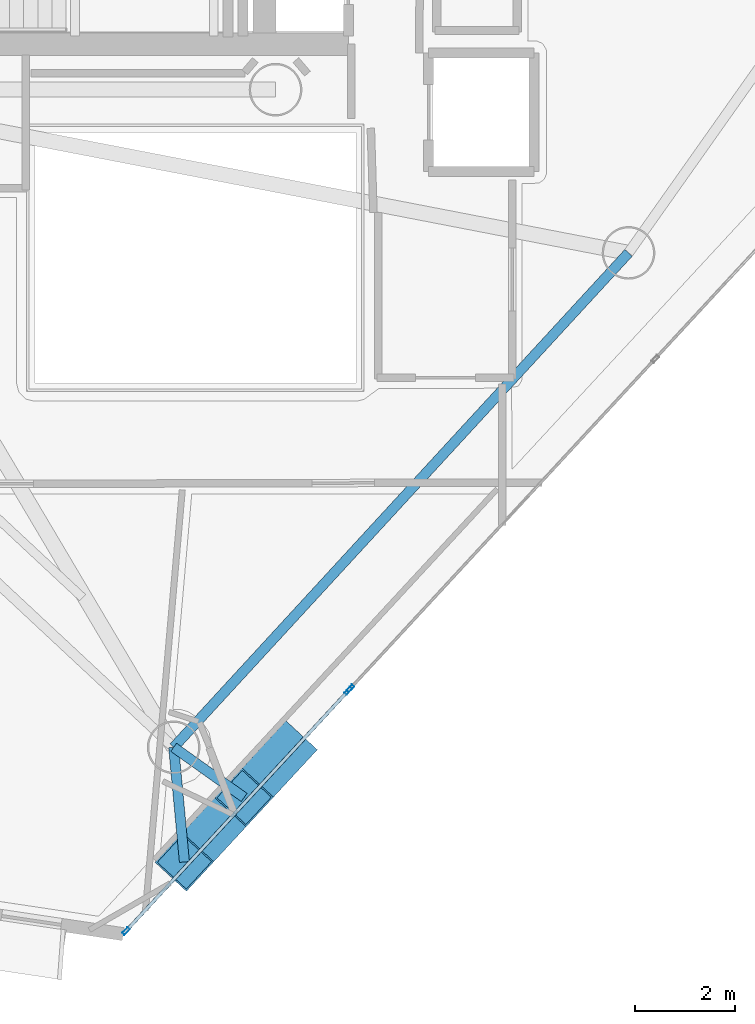
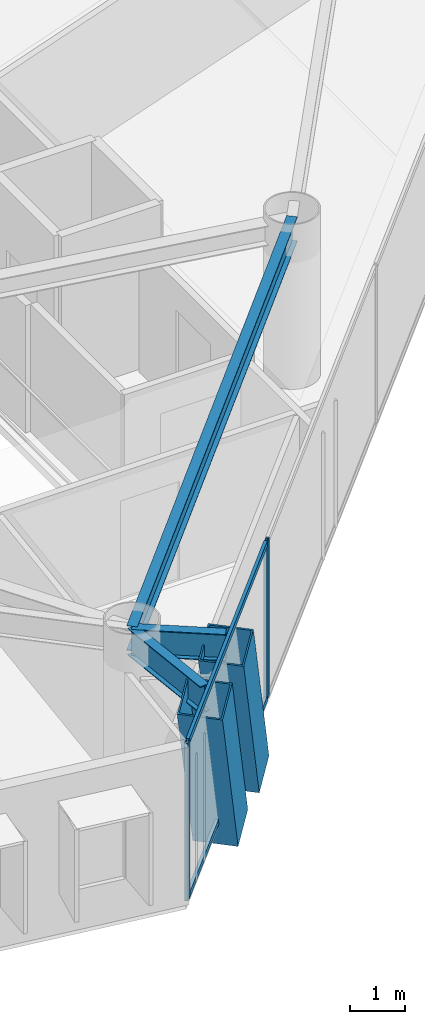
# One storey, part 4 of 21: 7 members, 3 beams, 2 elements without a shape of their own.
"""IFC4 building model written with IfcOpenShell, lengths in metres."""

import ifcopenshell
import ifcopenshell.guid

model = None  # the IFC model being written
_history = None  # IfcOwnerHistory: only IFC2X3 demands one
_inside = {}  # id of a spatial element -> (the spatial element, [elements in it])
_under = {}  # id of a project, library or spatial element -> (it, [spatial elements below it])
_declared = {}  # id of a project -> (the project, [libraries it declares])
_typed = {}  # id of a type object -> (the type object, [elements of that type])
_made_of = {}  # id of a material, layer set ... -> (it, [elements and type objects made of it])


def new_model(schema):
    """Start an empty IFC model of exactly this schema.

    Asked for "IFC4X3", IfcOpenShell would pick the latest addendum, in which some entities
    have other attributes; the version numbers below select the first issue.
    IFC2X3 requires an IfcOwnerHistory on every rooted entity: one is made here for all.
    """
    global model, _history
    if schema == "IFC4X3":
        model = ifcopenshell.file(schema_version=(4, 3, 0, 0))
    else:
        model = ifcopenshell.file(schema=schema)
    _inside.clear()
    _under.clear()
    _declared.clear()
    _typed.clear()
    _made_of.clear()
    _history = None
    if model.schema == "IFC2X3":
        org = make("IfcOrganization", Name="unknown")
        user = make(
            "IfcPersonAndOrganization",
            ThePerson=make("IfcPerson", FamilyName="unknown"),
            TheOrganization=org,
        )
        app = make(
            "IfcApplication",
            ApplicationDeveloper=org,
            Version="unknown",
            ApplicationFullName="unknown",
            ApplicationIdentifier="unknown",
        )
        _history = make(
            "IfcOwnerHistory",
            OwningUser=user,
            OwningApplication=app,
            ChangeAction="ADDED",
            CreationDate=0,
        )
    return model


def make(cls, **values):
    """One entity of the class cls with the attributes given. An attribute that is None is left unset."""
    return model.create_entity(
        cls, **{name: value for name, value in values.items() if value is not None}
    )


def rooted(cls, **values):
    """An entity with a GlobalId (a new one), such as an element, a storey or a relation."""
    return make(cls, GlobalId=ifcopenshell.guid.new(), OwnerHistory=_history, **values)


def si_unit(unit_type, name, prefix=None):
    """IfcSIUnit, for example si_unit("LENGTHUNIT", "METRE", prefix="MILLI")."""
    return make("IfcSIUnit", UnitType=unit_type, Prefix=prefix, Name=name)


def assignment(units):
    """IfcUnitAssignment: the units of a project."""
    return None if units is None else make("IfcUnitAssignment", Units=units)


def point(xyz):
    """IfcCartesianPoint."""
    return None if xyz is None else make("IfcCartesianPoint", Coordinates=xyz)


def direction(xyz):
    """IfcDirection."""
    return None if xyz is None else make("IfcDirection", DirectionRatios=xyz)


def frame(location, z_axis=None, x_axis=None):
    """IfcAxis2Placement3D, a coordinate frame: its origin and axes. An axis left out is left unset."""
    return make(
        "IfcAxis2Placement3D",
        Location=point(location),
        Axis=direction(z_axis),
        RefDirection=direction(x_axis),
    )


def frame_2d(location, x_axis=None):
    """IfcAxis2Placement2D, a coordinate frame in the plane: its origin and x axis."""
    return make(
        "IfcAxis2Placement2D", Location=point(location), RefDirection=direction(x_axis)
    )


def origin():
    """The frame at (0, 0, 0) with its axes left unset."""
    return frame((0.0, 0.0, 0.0))


def origin_2d():
    """The frame at (0, 0) in the plane with its x axis left unset."""
    return frame_2d((0.0, 0.0))


def place(relative_to, where):
    """IfcLocalPlacement: puts the frame where relative to a parent placement (None: the world)."""
    return make(
        "IfcLocalPlacement", PlacementRelTo=relative_to, RelativePlacement=where
    )


def context(
    kind, dimensions, precision=None, world=None, true_north=None, identifier=None
):
    """IfcGeometricRepresentationContext, for example the 3D "Model" context."""
    return make(
        "IfcGeometricRepresentationContext",
        ContextIdentifier=identifier,
        ContextType=kind,
        CoordinateSpaceDimension=dimensions,
        Precision=precision,
        WorldCoordinateSystem=world,
        TrueNorth=true_north,
    )


def subcontext(parent, identifier, kind, view, scale=None):
    """IfcGeometricRepresentationSubContext, for example "Body" below "Model"."""
    return make(
        "IfcGeometricRepresentationSubContext",
        ContextIdentifier=identifier,
        ContextType=kind,
        ParentContext=parent,
        TargetScale=scale,
        TargetView=view,
    )


def project(units=None, contexts=None):
    """IfcProject with its units and contexts."""
    return rooted(
        "IfcProject",
        Name="project",
        RepresentationContexts=contexts,
        UnitsInContext=assignment(units),
    )


def spatial(cls, under=None, at=None, **own):
    """A site, building, storey or space (cls), placed at a placement, below another one or the project."""
    s = rooted(cls, ObjectPlacement=at, **own)
    if under is not None:
        _under.setdefault(under.id(), (under, []))[1].append(s)
    return s


def profile(cls, at=None, kind="AREA", **sizes):
    """A parametric profile (cls). Its sizes go by their IFC names, for example OverallWidth=200.0."""
    return make(cls, ProfileType=kind, Position=at, **sizes)


def hollow_rectangle(**sizes):
    """IfcRectangleHollowProfileDef."""
    return profile("IfcRectangleHollowProfileDef", **sizes)


def i_section(**sizes):
    """IfcIShapeProfileDef."""
    return profile("IfcIShapeProfileDef", **sizes)


def extrude(swept, where, along, depth):
    """IfcExtrudedAreaSolid: the profile swept, set in the frame where, extruded along a direction by depth."""
    return make(
        "IfcExtrudedAreaSolid",
        SweptArea=swept,
        Position=where,
        ExtrudedDirection=direction(along),
        Depth=depth,
    )


def shape(context_of_items, identifier, shape_type, items):
    """IfcShapeRepresentation: the items that make up one representation, for example the "Body"."""
    return make(
        "IfcShapeRepresentation",
        ContextOfItems=context_of_items,
        RepresentationIdentifier=identifier,
        RepresentationType=shape_type,
        Items=items,
    )


def material(Name=None, Category=None):
    """IfcMaterial."""
    return make("IfcMaterial", Name=Name, Category=Category)


def layer(
    of_material, thickness, ventilated=None, Name=None, Category=None, Priority=None
):
    """IfcMaterialLayer: one layer of a wall or slab, of a material (None: an air gap)."""
    return make(
        "IfcMaterialLayer",
        Material=of_material,
        LayerThickness=thickness,
        IsVentilated=ventilated,
        Name=Name,
        Category=Category,
        Priority=Priority,
    )


def layer_set(layers, Name=None):
    """IfcMaterialLayerSet."""
    return make("IfcMaterialLayerSet", MaterialLayers=layers, LayerSetName=Name)


def material_profile(
    of_material, cross_section, Name=None, Category=None, Priority=None
):
    """IfcMaterialProfile: a cross section and its material."""
    return make(
        "IfcMaterialProfile",
        Name=Name,
        Material=of_material,
        Profile=cross_section,
        Priority=Priority,
        Category=Category,
    )


def profile_set(profiles, Name=None, composite=None):
    """IfcMaterialProfileSet."""
    return make(
        "IfcMaterialProfileSet",
        Name=Name,
        MaterialProfiles=profiles,
        CompositeProfile=composite,
    )


def made_of(thing, what):
    """Note that an element or type object is made of a material, layer set ...; save() writes the relation."""
    if what is not None:
        _made_of.setdefault(what.id(), (what, []))[1].append(thing)
    return thing


def type_object(cls, material=None, **own):
    """A type object (cls), such as IfcWallType, which elements share."""
    return made_of(rooted(cls, **own), material)


def element(
    cls,
    number,
    at=None,
    inside=None,
    cuts=None,
    type_object=None,
    material=None,
    context=None,
    identifier="Body",
    shape_type=None,
    held_by="IfcProductDefinitionShape",
    body=None,
    shapes=None,
    **own,
):
    """One element of the class cls, such as IfcWall. Its Tag is "e" and its number.

    at: its placement. inside: the storey or other place that contains it. cuts: it is an
    opening in that element (IfcRelVoidsElement). A single representation is given by context,
    identifier, shape_type and body (its items); several are given by shapes. held_by: the class
    of the entity that holds the representations. save() writes the other relations.
    """
    e = rooted(cls, Tag="e%d" % number, ObjectPlacement=at, **own)
    if body is not None:
        shapes = [shape(context, identifier, shape_type, body)]
    if shapes is not None:
        e.Representation = make(held_by, Representations=shapes)
    if inside is not None:
        _inside.setdefault(inside.id(), (inside, []))[1].append(e)
    if cuts is not None:
        rooted(
            "IfcRelVoidsElement", RelatingBuildingElement=cuts, RelatedOpeningElement=e
        )
    if type_object is not None:
        _typed.setdefault(type_object.id(), (type_object, []))[1].append(e)
    return made_of(e, material)


def aggregate(whole, parts):
    """IfcRelAggregates: a whole, such as a stair, and the parts it consists of."""
    return rooted("IfcRelAggregates", RelatingObject=whole, RelatedObjects=parts)


def save(model, path):
    """Write the relations noted so far, then the file.

    IfcRelAggregates (storeys below a building ...), IfcRelContainedInSpatialStructure (elements
    in a storey), IfcRelDefinesByType, IfcRelAssociatesMaterial and IfcRelDeclares: one each for
    every whole, place, type object, material and project.
    """
    for whole, parts in _under.values():
        aggregate(whole, parts)
    for where, things in _inside.values():
        rooted(
            "IfcRelContainedInSpatialStructure",
            RelatedElements=things,
            RelatingStructure=where,
        )
    for kind, things in _typed.values():
        rooted("IfcRelDefinesByType", RelatedObjects=things, RelatingType=kind)
    for what, things in _made_of.values():
        rooted("IfcRelAssociatesMaterial", RelatedObjects=things, RelatingMaterial=what)
    for by, libraries in _declared.values():
        rooted("IfcRelDeclares", RelatingContext=by, RelatedDefinitions=libraries)
    model.write(path)


model = new_model("IFC4")

# Units and contexts
model_context = context("Model", 3, precision=1e-05, world=origin(), true_north=direction((0.0, 1.0)))
body_context = subcontext(model_context, "Body", "Model", "MODEL_VIEW")
ifc_project = project(units=[si_unit("LENGTHUNIT", "METRE"), si_unit("AREAUNIT", "SQUARE_METRE"), si_unit("VOLUMEUNIT", "CUBIC_METRE"), si_unit("PLANEANGLEUNIT", "RADIAN"), si_unit("MASSUNIT", "GRAM", prefix="KILO")], contexts=[model_context])

# Site, building, storey
site_placement = place(None, origin())
site = spatial("IfcSite", under=ifc_project, at=site_placement, CompositionType="ELEMENT")
building_placement = place(site_placement, origin())
building = spatial("IfcBuilding", under=site, at=building_placement, Name="Qianvela Tower", CompositionType="ELEMENT")
storey_placement = place(building_placement, frame((0.0, 0.0, 246.39990234375)))
storey = spatial("IfcBuildingStorey", under=building, at=storey_placement, Name="L63", CompositionType="ELEMENT", Elevation=246.39990234375)

# Beams
ifc_material_1 = material(Name="Steel Q355B", Category="steel")
ifc_material_profile_1 = material_profile(ifc_material_1, i_section(OverallWidth=0.199951171875, OverallDepth=0.550048828125, WebThickness=0.010009765625, FlangeThickness=0.01611328125, at=origin_2d()), Name="HN550x200x10x16")
ifc_profile_set_1 = profile_set([ifc_material_profile_1], Name="Steel Q355B")
beam_type_1 = type_object("IfcBeamType", Name="BM-HN550-GIRD", PredefinedType="BEAM", material=ifc_profile_set_1)
beam_1_placement = place(storey_placement, frame((36.368896484375, 10.741943359375, 3.2431640625), z_axis=(0.677042708154, 0.735943728376, 0.0), x_axis=(-0.735943728376, 0.677042708154, 0.0)))
element("IfcBeam", 1, at=beam_1_placement, inside=storey, type_object=beam_type_1, Name="L63 Perimeter Ring Spandrel Girder 5", PredefinedType="BEAM", context=body_context, shape_type="SweptSolid", body=[
    extrude(i_section(OverallWidth=0.199951171875, OverallDepth=0.550048828125, WebThickness=0.010009765625, FlangeThickness=0.01611328125, at=origin_2d()), origin(), (0.0, 0.0, 1.0), 13.392333984375),
])
ifc_material_2 = material(Name="Steel Q355B", Category="steel")
ifc_material_profile_2 = material_profile(ifc_material_2, i_section(OverallWidth=0.199951171875, OverallDepth=0.60009765625, WebThickness=0.010986328125, FlangeThickness=0.01708984375, at=origin_2d()), Name="HN600x200x11x17")
ifc_profile_set_2 = profile_set([ifc_material_profile_2], Name="Steel Q355B")
beam_type_2 = type_object("IfcBeamType", Name="BM-HN600-GIRD", PredefinedType="BEAM", material=ifc_profile_set_2)
beam_2_placement = place(storey_placement, frame((36.368896484375, 10.741943359375, 3.218017578125), z_axis=(0.093459281007, -0.995623102782, 0.0), x_axis=(0.995623102782, 0.093459281007, 0.0)))
element("IfcBeam", 2, at=beam_2_placement, inside=storey, type_object=beam_type_2, Name="L63 Mega-Brace Column Tie Bracket F3-1", PredefinedType="BEAM", context=body_context, shape_type="SweptSolid", body=[
    extrude(i_section(OverallWidth=0.199951171875, OverallDepth=0.60009765625, WebThickness=0.010986328125, FlangeThickness=0.01708984375, at=origin_2d()), origin(), (0.0, 0.0, 1.0), 2.296142578125),
])
beam_3_placement = place(storey_placement, frame((36.368896484375, 10.741943359375, 3.218017578125), z_axis=(0.814803704834, -0.579736942577, 0.0), x_axis=(0.579736942577, 0.814803704834, 0.0)))
element("IfcBeam", 3, at=beam_3_placement, inside=storey, type_object=beam_type_2, Name="L63 Mega-Brace Column Tie Bracket F3-2", PredefinedType="BEAM", context=body_context, shape_type="SweptSolid", body=[
    extrude(i_section(OverallWidth=0.199951171875, OverallDepth=0.60009765625, WebThickness=0.010986328125, FlangeThickness=0.01708984375, at=origin_2d()), origin(), (0.0, 0.0, 1.0), 1.72412109375),
])

# Curtain wall, members
ifc_material_3 = material(Name="Anodised Architectural Aluminium and Insulated Spandrel Panel", Category="aluminium")
ifc_layer_1 = layer(ifc_material_3, 0.179931640625)
ifc_layer_set_1 = layer_set([ifc_layer_1], Name="Anodised Architectural Aluminium and Insulated Spandrel Panel")
curtain_wall_type_1 = type_object("IfcCurtainWallType", Name="CW-BRACEBAY", PredefinedType="USERDEFINED", material=ifc_layer_set_1)
curtain_wall_1_placement = place(storey_placement, origin())
curtain_wall_1 = element("IfcCurtainWall", 4, at=curtain_wall_1_placement, inside=storey, type_object=curtain_wall_type_1, Name="L63 CW-BRACEBAY Curtain Wall 06A", ObjectType="CURTAIN_WALL_SYSTEM", PredefinedType="USERDEFINED")
ifc_material_4 = material(Name="Anodised Architectural Aluminium 6063-T6", Category="aluminium")
ifc_material_profile_3 = material_profile(ifc_material_4, hollow_rectangle(XDim=0.06494140625, YDim=0.159912109375, WallThickness=0.0048828125, at=origin_2d()), Name="ALU-MULL-65x160")
ifc_profile_set_3 = profile_set([ifc_material_profile_3], Name="Anodised Architectural Aluminium 6063-T6")
member_type_1 = type_object("IfcMemberType", Name="CW-BRACEBAY-MULL", PredefinedType="MULLION", material=ifc_profile_set_3)
member_1_placement = place(storey_placement, frame((35.41796875, 7.077880859375, 0.0), z_axis=(0.0, 0.0, 1.0), x_axis=(-0.73412648117, 0.679012746305, 0.0)))
member_1 = element("IfcMember", 5, at=member_1_placement, type_object=member_type_1, Name="CW-9 mullion 1", PredefinedType="MULLION", context=body_context, shape_type="SweptSolid", body=[
    extrude(hollow_rectangle(XDim=0.06494140625, YDim=0.159912109375, WallThickness=0.0048828125, at=origin_2d()), origin(), (0.0, 0.0, 1.0), 3.52001953125),
])
member_2_placement = place(storey_placement, frame((39.848388671875, 11.867919921875, 0.0), z_axis=(0.0, 0.0, 1.0), x_axis=(-0.73412648117, 0.679012746305, 0.0)))
member_2 = element("IfcMember", 6, at=member_2_placement, type_object=member_type_1, Name="CW-9 mullion 2", PredefinedType="MULLION", context=body_context, shape_type="SweptSolid", body=[
    extrude(hollow_rectangle(XDim=0.06494140625, YDim=0.159912109375, WallThickness=0.0048828125, at=origin_2d()), origin(), (0.0, 0.0, 1.0), 3.52001953125),
])
ifc_material_5 = material(Name="Anodised Architectural Aluminium 6063-T6", Category="aluminium")
ifc_material_profile_4 = material_profile(ifc_material_5, hollow_rectangle(XDim=0.06494140625, YDim=0.1298828125, WallThickness=0.00439453125, at=origin_2d()), Name="ALU-TRAN-65x130")
ifc_profile_set_4 = profile_set([ifc_material_profile_4], Name="Anodised Architectural Aluminium 6063-T6")
member_type_2 = type_object("IfcMemberType", Name="CW-BRACEBAY-TRAN", PredefinedType="USERDEFINED", material=ifc_profile_set_4)
member_3_placement = place(storey_placement, frame((35.43994140625, 7.1015625, 0.03271484375), z_axis=(0.679019068985, 0.734120633107, 0.0), x_axis=(-0.734120633107, 0.679019068985, 0.0)))
member_3 = element("IfcMember", 7, at=member_3_placement, type_object=member_type_2, Name="CW-9 transom 1.1", ObjectType="TRANSOM", PredefinedType="USERDEFINED", context=body_context, shape_type="SweptSolid", body=[
    extrude(hollow_rectangle(XDim=0.06494140625, YDim=0.1298828125, WallThickness=0.00439453125, at=origin_2d()), origin(), (0.0, 0.0, 1.0), 6.4599609375),
])
member_4_placement = place(storey_placement, frame((35.43994140625, 7.1015625, 3.487548828125), z_axis=(0.679019068985, 0.734120633107, 0.0), x_axis=(-0.734120633107, 0.679019068985, 0.0)))
member_4 = element("IfcMember", 8, at=member_4_placement, type_object=member_type_2, Name="CW-9 transom 1.2", ObjectType="TRANSOM", PredefinedType="USERDEFINED", context=body_context, shape_type="SweptSolid", body=[
    extrude(hollow_rectangle(XDim=0.06494140625, YDim=0.1298828125, WallThickness=0.00439453125, at=origin_2d()), origin(), (0.0, 0.0, 1.0), 6.4599609375),
])
aggregate(curtain_wall_1, [member_1, member_2, member_3, member_4])

# Curtain wall, member
ifc_material_6 = material(Name="Anodised Architectural Aluminium and Low-E Glass", Category="aluminium")
ifc_layer_2 = layer(ifc_material_6, 0.159912109375)
ifc_layer_set_2 = layer_set([ifc_layer_2], Name="Anodised Architectural Aluminium and Low-E Glass")
curtain_wall_type_2 = type_object("IfcCurtainWallType", Name="CW-COLIV-Z56", PredefinedType="USERDEFINED", material=ifc_layer_set_2)
curtain_wall_2_placement = place(storey_placement, origin())
curtain_wall_2 = element("IfcCurtainWall", 9, at=curtain_wall_2_placement, inside=storey, type_object=curtain_wall_type_2, Name="L63 CW-COLIV-Z56 Curtain Wall 06B", ObjectType="CURTAIN_WALL_SYSTEM", PredefinedType="USERDEFINED")
ifc_material_7 = material(Name="Anodised Architectural Aluminium 6063-T6", Category="aluminium")
ifc_material_profile_5 = material_profile(ifc_material_7, hollow_rectangle(XDim=0.06494140625, YDim=0.159912109375, WallThickness=0.0048828125, at=origin_2d()), Name="ALU-MULL-65x160")
ifc_profile_set_5 = profile_set([ifc_material_profile_5], Name="Anodised Architectural Aluminium 6063-T6")
member_type_3 = type_object("IfcMemberType", Name="CW-COLIV-Z56-MULL", PredefinedType="MULLION", material=ifc_profile_set_5)
member_5_placement = place(storey_placement, frame((39.892578125, 11.915771484375, 0.0), z_axis=(0.0, 0.0, 1.0), x_axis=(-0.73412151482, 0.679018115722, 0.0)))
member_5 = element("IfcMember", 10, at=member_5_placement, type_object=member_type_3, Name="CW-5 mullion 1", PredefinedType="MULLION", context=body_context, shape_type="SweptSolid", body=[
    extrude(hollow_rectangle(XDim=0.06494140625, YDim=0.159912109375, WallThickness=0.0048828125, at=origin_2d()), origin(), (0.0, 0.0, 1.0), 3.52001953125),
])
aggregate(curtain_wall_2, [member_5])

# Members
ifc_material_8 = material(Name="Steel Q420GJC", Category="steel")
ifc_material_profile_6 = material_profile(ifc_material_8, hollow_rectangle(XDim=0.85009765625, YDim=0.85009765625, WallThickness=0.031982421875, at=origin_2d()), Name="MBOX-850x850x32")
ifc_profile_set_6 = profile_set([ifc_material_profile_6], Name="Steel Q420GJC")
member_type_4 = type_object("IfcMemberType", Name="MBR-MBRACE-850", PredefinedType="BRACE", material=ifc_profile_set_6)
for number, where, z_axis, x_axis, name in (
    (11, (37.457275390625, 9.400390625, -0.48193359375), (-0.223055637087, -0.24112943836, 0.944511925134), (0.734082887922, -0.679059874871, 0.0), "L63 Tier 10 Exterior Mega-Brace F3A"),
    (12, (38.64697265625, 10.68701171875, -0.48193359375), (-0.222937186902, -0.241136140935, 0.94453817934), (0.734272068275, -0.678855308406, 0.0), "L63 Tier 10 Exterior Mega-Brace F3B"),
):
    element("IfcMember", number, at=place(storey_placement, frame(where, z_axis=z_axis, x_axis=x_axis)), inside=storey, type_object=member_type_4, Name=name, PredefinedType="BRACE", context=body_context, shape_type="SweptSolid", body=[
        extrude(hollow_rectangle(XDim=0.85009765625, YDim=0.85009765625, WallThickness=0.031982421875, at=origin_2d()), origin(), (0.0, 0.0, 1.0), 3.917236328125),
    ])

save(model, "model.ifc")
